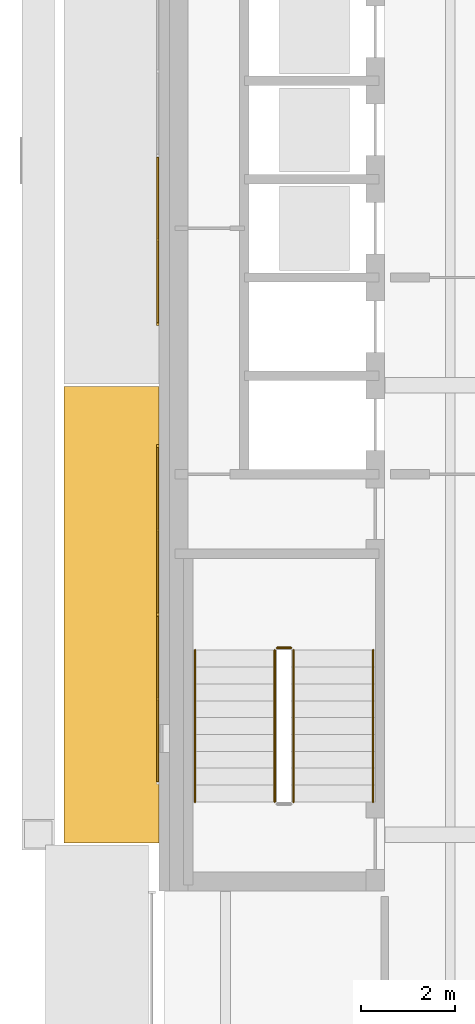
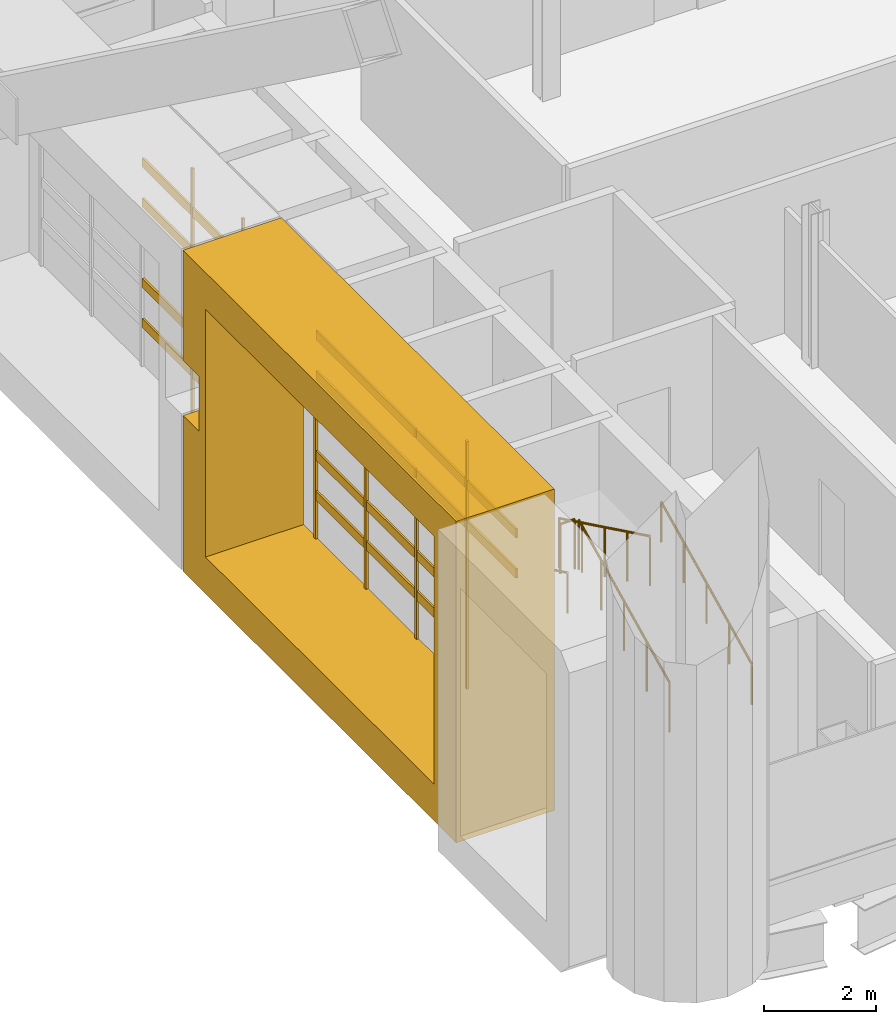
# One storey, part 20 of 29: 19 coverings, 5 railings.
"""IFC4 building model written with IfcOpenShell, lengths in metres."""

from ifc_helpers import new_model, si_unit, direction, frame, origin, origin_2d, place, context, subcontext, project, spatial, polyline, rectangle, circle, outline, extrude, material, type_object, element, save


model = new_model("IFC4")

# Units and contexts
model_context = context("Model", 3, precision=1e-05, world=origin(), true_north=direction((0.0, 1.0)))
body_context = subcontext(model_context, "Body", "Model", "MODEL_VIEW")
ifc_project = project(units=[si_unit("LENGTHUNIT", "METRE"), si_unit("AREAUNIT", "SQUARE_METRE"), si_unit("VOLUMEUNIT", "CUBIC_METRE"), si_unit("PLANEANGLEUNIT", "RADIAN"), si_unit("MASSUNIT", "GRAM", prefix="KILO")], contexts=[model_context])

# Site, building, storey
site_placement = place(None, origin())
site = spatial("IfcSite", under=ifc_project, at=site_placement, CompositionType="ELEMENT")
building_placement = place(site_placement, origin())
building = spatial("IfcBuilding", under=site, at=building_placement, Name="Cobrizo Arcos Hotel Tower", CompositionType="ELEMENT")
storey_placement = place(building_placement, frame((0.0, 0.0, 241.0)))
storey = spatial("IfcBuildingStorey", under=building, at=storey_placement, Name="L63", CompositionType="ELEMENT", Elevation=241.0)

# Coverings
ifc_material_1 = material(Name="Aluminium 6063-T6 anodised bronze", Category="aluminium")
covering_type_1 = type_object("IfcCoveringType", Name="FIN-F 2025", PredefinedType="CLADDING", material=ifc_material_1)
covering_placement = place(storey_placement, frame((-20.625, -0.02490234375, 0.0), z_axis=(-1.0, 0.0, 0.0), x_axis=(0.0, -1.0, 0.0)))
element("IfcCovering", 1, at=covering_placement, inside=storey, type_object=covering_type_1, Name="Fin frame 425", PredefinedType="CLADDING", context=body_context, shape_type="SweptSolid", body=[
    extrude(outline(polyline([(0.0, 7.0), (0.0, 4.60205078125), (0.576904296875, 4.60205078125), (0.576904296875, 3.39794921875), (0.0, 3.39794921875), (0.0, 0.0), (9.75, 0.0), (9.75, 7.0), (0.0, 7.0)]), holes=[polyline([(8.949951171875, 0.800048828125), (0.800048828125, 0.800048828125), (0.800048828125, 6.199951171875), (8.949951171875, 6.199951171875), (8.949951171875, 0.800048828125)])]), origin(), (0.0, 0.0, 1.0), 2.02490234375),
])
ifc_material_2 = material(Name="Aluminium 6063-T6 anodised pale", Category="aluminium")
covering_type_2 = type_object("IfcCoveringType", Name="RS-2 rainscreen rib 60x50", PredefinedType="CLADDING", material=ifc_material_2)
for number, where, z_axis, x_axis, name in (
    (2, (-20.64990234375, 3.10009765625, 0.800048828125), (0.0, 0.0, 1.0), (0.0, -1.0, 0.0), "Rainscreen rib 314"),
    (3, (-20.64990234375, 1.300048828125, 0.800048828125), (0.0, 0.0, 1.0), (0.0, -1.0, 0.0), "Rainscreen rib 315"),
    (4, (-20.64990234375, -1.300048828125, 0.800048828125), (0.0, 0.0, 1.0), (0.0, -1.0, 0.0), "Rainscreen rib 316"),
    (5, (-20.64990234375, -3.10009765625, 0.800048828125), (0.0, 0.0, 1.0), (0.0, -1.0, 0.0), "Rainscreen rib 317"),
    (6, (-20.64990234375, -4.89990234375, 0.800048828125), (0.0, 0.0, 1.0), (0.0, -1.0, 0.0), "Rainscreen rib 318"),
    (7, (-20.64990234375, -6.699951171875, 0.800048828125), (0.0, 0.0, 1.0), (0.0, -1.0, 0.0), "Rainscreen rib 319"),
):
    element("IfcCovering", number, at=place(storey_placement, frame(where, z_axis=z_axis, x_axis=x_axis)), inside=storey, type_object=covering_type_2, Name=name, PredefinedType="CLADDING", context=body_context, shape_type="SweptSolid", body=[
        extrude(rectangle(XDim=0.06005859375, YDim=0.050048828125, at=origin_2d()), origin(), (0.0, 0.0, 1.0), 5.39990234375),
    ])
covering_type_3 = type_object("IfcCoveringType", Name="RS-3 rainscreen louvre slat 200x40", PredefinedType="CLADDING", material=ifc_material_2)
for number, where, z_axis, x_axis, name in (
    (8, (-20.64501953125, 3.10009765625, 1.64990234375), (0.0, 0.0, 1.0), (0.0, -1.0, 0.0), "Rainscreen slat 167"),
    (9, (-20.64501953125, 3.10009765625, 2.52490234375), (0.0, 0.0, 1.0), (0.0, -1.0, 0.0), "Rainscreen slat 168"),
    (10, (-20.64501953125, 3.10009765625, 4.27490234375), (0.0, 0.0, 1.0), (0.0, -1.0, 0.0), "Rainscreen slat 171"),
    (11, (-20.64501953125, 3.10009765625, 5.14990234375), (0.0, 0.0, 1.0), (0.0, -1.0, 0.0), "Rainscreen slat 172"),
    (12, (-20.64501953125, -3.10009765625, 1.64990234375), (0.0, 0.0, 1.0), (0.0, -1.0, 0.0), "Rainscreen slat 173"),
    (13, (-20.64501953125, -3.10009765625, 2.52490234375), (0.0, 0.0, 1.0), (0.0, -1.0, 0.0), "Rainscreen slat 174"),
    (14, (-20.64501953125, -6.699951171875, 1.64990234375), (0.0, 0.0, 1.0), (0.0, -1.0, 0.0), "Rainscreen slat 175"),
    (15, (-20.64501953125, -6.699951171875, 2.52490234375), (0.0, 0.0, 1.0), (0.0, -1.0, 0.0), "Rainscreen slat 176"),
    (16, (-20.64501953125, -3.10009765625, 4.27490234375), (0.0, 0.0, 1.0), (0.0, -1.0, 0.0), "Rainscreen slat 177"),
    (17, (-20.64501953125, -3.10009765625, 5.14990234375), (0.0, 0.0, 1.0), (0.0, -1.0, 0.0), "Rainscreen slat 178"),
    (18, (-20.64501953125, -6.699951171875, 4.27490234375), (0.0, 0.0, 1.0), (0.0, -1.0, 0.0), "Rainscreen slat 179"),
    (19, (-20.64501953125, -6.699951171875, 5.14990234375), (0.0, 0.0, 1.0), (0.0, -1.0, 0.0), "Rainscreen slat 180"),
):
    element("IfcCovering", number, at=place(storey_placement, frame(where, z_axis=z_axis, x_axis=x_axis)), inside=storey, type_object=covering_type_3, Name=name, PredefinedType="CLADDING", context=body_context, shape_type="SweptSolid", body=[
        extrude(rectangle(XDim=3.5400390625, YDim=0.0400390625, at=origin_2d()), origin(), (0.0, 0.0, 1.0), 0.199951171875),
    ])

# Railings
ifc_material_3 = material(Name="Stainless steel railing", Category="steel")
railing_type_1 = type_object("IfcRailingType", Name="Stair guard 1100", PredefinedType="GUARDRAIL", material=ifc_material_3)
railing_1_placement = place(storey_placement, frame((-17.75, -8.89990234375, 0.175048828125)))
element("IfcRailing", 20, at=railing_1_placement, inside=storey, type_object=railing_type_1, Name="L63 ST-W stair guard 1", PredefinedType="GUARDRAIL", context=body_context, shape_type="SweptSolid", body=[
    extrude(circle(Radius=0.02392578125, at=origin_2d()), frame((0.0, 0.0, 1.076171875), z_axis=(0.0, 0.899372665325, 0.437182809435), x_axis=(-1.0, 0.0, 0.0)), (0.0, 0.0, 1.0), 3.6025390625),
    extrude(circle(Radius=0.02099609375, at=origin_2d()), origin(), (0.0, 0.0, 1.0), 1.052001953125),
    extrude(circle(Radius=0.02099609375, at=origin_2d()), frame((0.0, 0.81005859375, 0.393798828125)), (0.0, 0.0, 1.0), 1.052001953125),
    extrude(circle(Radius=0.02099609375, at=origin_2d()), frame((0.0, 1.6201171875, 0.78759765625)), (0.0, 0.0, 1.0), 1.052001953125),
    extrude(circle(Radius=0.02099609375, at=origin_2d()), frame((0.0, 2.429931640625, 1.18115234375)), (0.0, 0.0, 1.0), 1.052001953125),
    extrude(circle(Radius=0.02099609375, at=origin_2d()), frame((0.0, 3.239990234375, 1.574951171875)), (0.0, 0.0, 1.0), 1.052001953125),
])
railing_2_placement = place(storey_placement, frame((-17.800048828125, -5.610107421875, 1.75)))
element("IfcRailing", 21, at=railing_2_placement, inside=storey, type_object=railing_type_1, Name="L63 ST-W stair guard 2", PredefinedType="GUARDRAIL", context=body_context, shape_type="SweptSolid", body=[
    extrude(circle(Radius=0.02392578125, at=origin_2d()), frame((0.0, 0.0, 1.076171875), z_axis=(-1.0, 0.0, 0.0), x_axis=(0.0, -1.0, 0.0)), (0.0, 0.0, 1.0), 0.300048828125),
    extrude(circle(Radius=0.02099609375, at=origin_2d()), origin(), (0.0, 0.0, 1.0), 1.052001953125),
    extrude(circle(Radius=0.02099609375, at=origin_2d()), frame((-0.300048828125, 0.0, 0.0)), (0.0, 0.0, 1.0), 1.052001953125),
])
railing_3_placement = place(storey_placement, frame((-18.14990234375, -5.659912109375, 1.925048828125)))
element("IfcRailing", 22, at=railing_3_placement, inside=storey, type_object=railing_type_1, Name="L63 ST-W stair guard 3", PredefinedType="GUARDRAIL", context=body_context, shape_type="SweptSolid", body=[
    extrude(circle(Radius=0.02392578125, at=origin_2d()), frame((0.0, 0.0, 1.076171875), z_axis=(0.0, -0.899372665325, 0.437182809435), x_axis=(1.0, 0.0, 0.0)), (0.0, 0.0, 1.0), 3.6025390625),
    extrude(circle(Radius=0.02099609375, at=origin_2d()), origin(), (0.0, 0.0, 1.0), 1.052001953125),
    extrude(circle(Radius=0.02099609375, at=origin_2d()), frame((0.0, -0.81005859375, 0.393798828125)), (0.0, 0.0, 1.0), 1.052001953125),
    extrude(circle(Radius=0.02099609375, at=origin_2d()), frame((0.0, -1.6201171875, 0.78759765625)), (0.0, 0.0, 1.0), 1.052001953125),
    extrude(circle(Radius=0.02099609375, at=origin_2d()), frame((0.0, -2.429931640625, 1.18115234375)), (0.0, 0.0, 1.0), 1.052001953125),
    extrude(circle(Radius=0.02099609375, at=origin_2d()), frame((0.0, -3.239990234375, 1.574951171875)), (0.0, 0.0, 1.0), 1.052001953125),
])
railing_type_2 = type_object("IfcRailingType", Name="Stair handrail", PredefinedType="HANDRAIL", material=ifc_material_3)
railing_4_placement = place(storey_placement, frame((-16.050048828125, -8.89990234375, 0.175048828125)))
element("IfcRailing", 23, at=railing_4_placement, inside=storey, type_object=railing_type_2, Name="L63 ST-W stair handrail 1", PredefinedType="HANDRAIL", context=body_context, shape_type="SweptSolid", body=[
    extrude(circle(Radius=0.02392578125, at=origin_2d()), frame((0.0, 0.0, 0.8759765625), z_axis=(0.0, 0.899372665325, 0.437182809435), x_axis=(-1.0, 0.0, 0.0)), (0.0, 0.0, 1.0), 3.6025390625),
    extrude(circle(Radius=0.02099609375, at=origin_2d()), origin(), (0.0, 0.0, 1.0), 0.851806640625),
    extrude(circle(Radius=0.02099609375, at=origin_2d()), frame((0.0, 0.81005859375, 0.393798828125)), (0.0, 0.0, 1.0), 0.851806640625),
    extrude(circle(Radius=0.02099609375, at=origin_2d()), frame((0.0, 1.6201171875, 0.78759765625)), (0.0, 0.0, 1.0), 0.851806640625),
    extrude(circle(Radius=0.02099609375, at=origin_2d()), frame((0.0, 2.429931640625, 1.18115234375)), (0.0, 0.0, 1.0), 0.851806640625),
    extrude(circle(Radius=0.02099609375, at=origin_2d()), frame((0.0, 3.239990234375, 1.574951171875)), (0.0, 0.0, 1.0), 0.851806640625),
])
railing_5_placement = place(storey_placement, frame((-19.85009765625, -5.659912109375, 1.925048828125)))
element("IfcRailing", 24, at=railing_5_placement, inside=storey, type_object=railing_type_2, Name="L63 ST-W stair handrail 2", PredefinedType="HANDRAIL", context=body_context, shape_type="SweptSolid", body=[
    extrude(circle(Radius=0.02392578125, at=origin_2d()), frame((0.0, 0.0, 0.8759765625), z_axis=(0.0, -0.899372665325, 0.437182809435), x_axis=(1.0, 0.0, 0.0)), (0.0, 0.0, 1.0), 3.6025390625),
    extrude(circle(Radius=0.02099609375, at=origin_2d()), origin(), (0.0, 0.0, 1.0), 0.851806640625),
    extrude(circle(Radius=0.02099609375, at=origin_2d()), frame((0.0, -0.81005859375, 0.393798828125)), (0.0, 0.0, 1.0), 0.851806640625),
    extrude(circle(Radius=0.02099609375, at=origin_2d()), frame((0.0, -1.6201171875, 0.78759765625)), (0.0, 0.0, 1.0), 0.851806640625),
    extrude(circle(Radius=0.02099609375, at=origin_2d()), frame((0.0, -2.429931640625, 1.18115234375)), (0.0, 0.0, 1.0), 0.851806640625),
    extrude(circle(Radius=0.02099609375, at=origin_2d()), frame((0.0, -3.239990234375, 1.574951171875)), (0.0, 0.0, 1.0), 0.851806640625),
])

save(model, "model.ifc")
